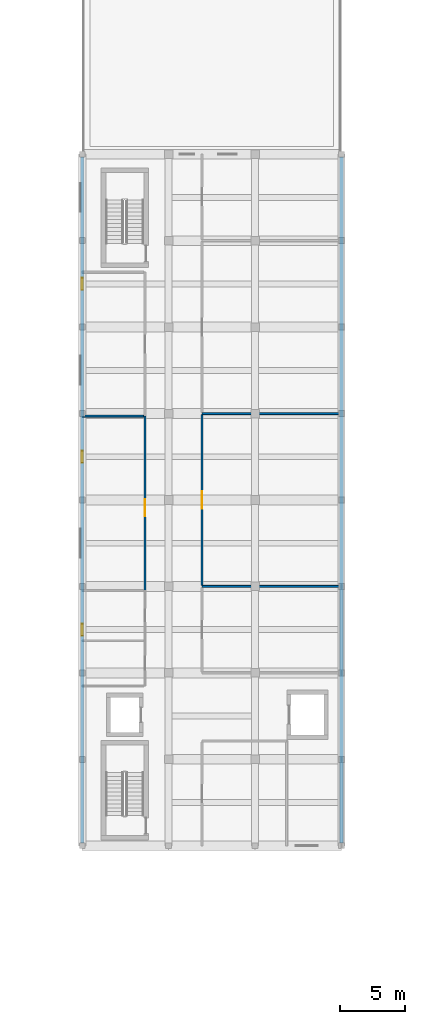
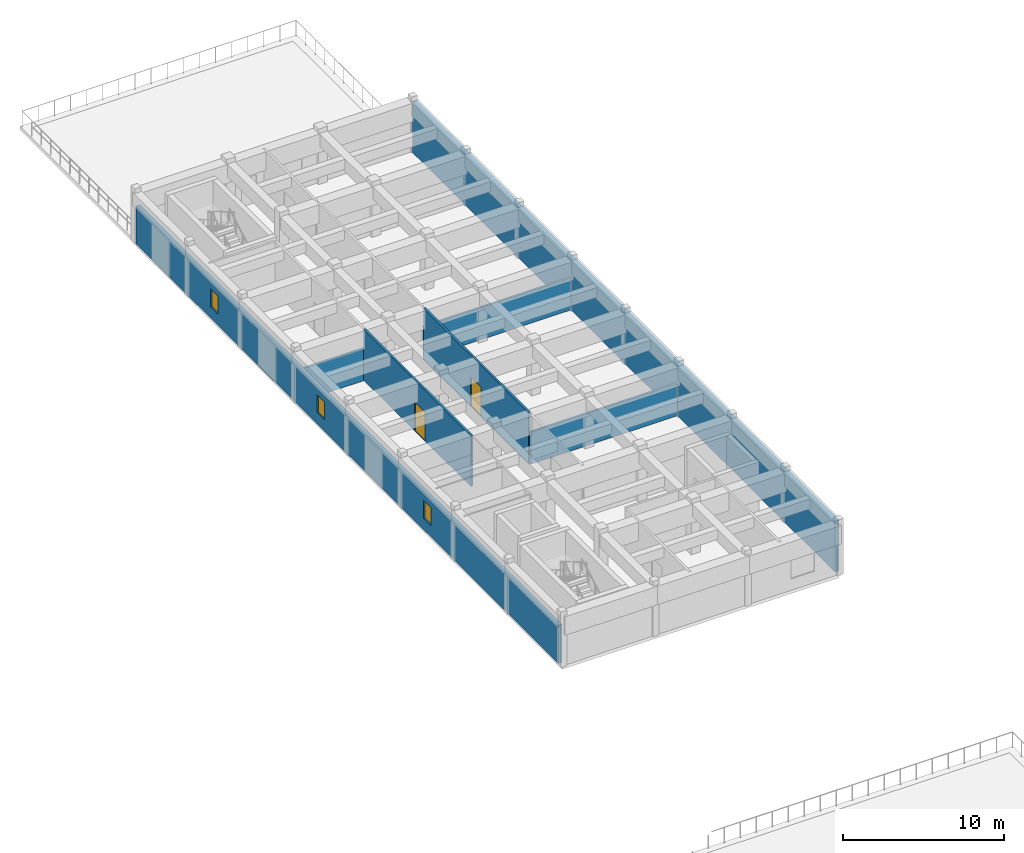
# One storey, part 115 of 130: 7 walls, 3 windows, 2 doors, 5 openings.
"""IFC4 building model written with IfcOpenShell, lengths in metres."""

from ifc_helpers import new_model, si_unit, direction, frame, frame_2d, origin, place, context, subcontext, project, spatial, rectangle, extrude, material, layer, layer_set, type_object, element, fill, save


model = new_model("IFC4")

# Units and contexts
model_context = context("Model", 3, precision=1e-05, world=origin(), true_north=direction((0.0, 1.0)))
body_context = subcontext(model_context, "Body", "Model", "MODEL_VIEW")
ifc_project = project(units=[si_unit("LENGTHUNIT", "METRE"), si_unit("AREAUNIT", "SQUARE_METRE"), si_unit("VOLUMEUNIT", "CUBIC_METRE"), si_unit("PLANEANGLEUNIT", "RADIAN"), si_unit("MASSUNIT", "GRAM", prefix="KILO")], contexts=[model_context])

# Site, building, storey
site_placement = place(None, origin())
site = spatial("IfcSite", under=ifc_project, at=site_placement, CompositionType="ELEMENT")
building_placement = place(site_placement, origin())
building = spatial("IfcBuilding", under=site, at=building_placement, Name="Karori Crest Natural Sciences Institute", CompositionType="ELEMENT")
storey_placement = place(building_placement, frame((0.0, 0.0, 17.5)))
storey = spatial("IfcBuildingStorey", under=building, at=storey_placement, Name="L04", CompositionType="ELEMENT", Elevation=17.5)

# Wall
ifc_material_1 = material(Name="Clean-room insulated fire partition")
ifc_layer_1 = layer(ifc_material_1, 0.14990234375, Name="Clean-room insulated fire partition")
ifc_layer_set_1 = layer_set([ifc_layer_1], Name="Clean-room insulated fire partition")
wall_type_1 = type_object("IfcWallType", Name="IWT-06", PredefinedType="PARTITIONING", material=ifc_layer_set_1)
wall_1_placement = place(storey_placement, frame((7.39990234375, 127.800048828125, 0.0), z_axis=(0.0, 0.0, 1.0), x_axis=(1.0, 0.0, 0.0)))
element("IfcWall", 1, at=wall_1_placement, inside=storey, type_object=wall_type_1, Name="Partition wall IW-1007", PredefinedType="PARTITIONING", context=body_context, shape_type="SweptSolid", body=[
    extrude(rectangle(XDim=4.697998046875, YDim=0.14990234375, at=frame_2d((2.34912109375, 0.0))), origin(), (0.0, 0.0, 1.0), 2.43505859375),
])

# Wall, opening, door
wall_2_placement = place(storey_placement, frame((12.199951171875, 114.501953125, 0.0), z_axis=(0.0, 0.0, 1.0), x_axis=(0.0, 1.0, 0.0)))
wall_2 = element("IfcWall", 2, at=wall_2_placement, inside=storey, type_object=wall_type_1, Name="Partition wall IW-1008", PredefinedType="PARTITIONING", context=body_context, shape_type="SweptSolid", body=[
    extrude(rectangle(XDim=13.298095703125, YDim=0.14990234375, at=frame_2d((6.64892578125, 0.0))), origin(), (0.0, 0.0, 1.0), 3.85009765625),
])
opening_1_placement = place(wall_2_placement, frame((5.64892578125, 0.0, 0.0)))
opening_1 = element("IfcOpeningElement", 3, at=opening_1_placement, cuts=wall_2, Name="Opening ID-0274", PredefinedType="OPENING", context=body_context, shape_type="SweptSolid", body=[
    extrude(rectangle(XDim=1.300048828125, YDim=2.199951171875, at=frame_2d((0.64990234375, 1.10009765625))), frame((0.0, 0.0849609375, 0.0), z_axis=(0.0, -1.0, 0.0), x_axis=(1.0, 0.0, 0.0)), (0.0, 0.0, 1.0), 0.169921875),
])
ifc_material_2 = material(Name="Stainless steel 316 and fire-rated timber", Category="steel")
door_type = type_object("IfcDoorType", Name="IDT-04", OperationType="NOTDEFINED", PredefinedType="DOOR", material=ifc_material_2)
door_1_placement = place(opening_1_placement, origin())
door_1 = element("IfcDoor", 4, at=door_1_placement, inside=storey, type_object=door_type, Name="Clean-Room Gowning Airlock Suite door ID-0274", OperationType="SINGLE_SWING_RIGHT", OverallHeight=2.199951171875, OverallWidth=1.300048828125, PredefinedType="DOOR", context=body_context, shape_type="SweptSolid", body=[
    extrude(rectangle(XDim=1.300048828125, YDim=2.199951171875, at=frame_2d((0.64990234375, 1.10009765625))), frame((0.0, 0.02490234375, 0.0), z_axis=(0.0, -1.0, 0.0), x_axis=(1.0, 0.0, 0.0)), (0.0, 0.0, 1.0), 0.050048828125),
])
fill(opening_1, door_1)

# Walls
for number, where, z_axis, x_axis, name in (
    (5, (16.550048828125, 114.800048828125, 0.0), (0.0, 0.0, 1.0), (1.0, 0.0, 0.0), "Partition wall IW-1015"),
    (6, (16.550048828125, 128.0, 0.0), (0.0, 0.0, 1.0), (1.0, 0.0, 0.0), "Partition wall IW-1017"),
):
    element("IfcWall", number, at=place(storey_placement, frame(where, z_axis=z_axis, x_axis=x_axis)), inside=storey, type_object=wall_type_1, Name=name, PredefinedType="PARTITIONING", context=body_context, shape_type="SweptSolid", body=[
        extrude(rectangle(XDim=10.537841796875, YDim=0.14990234375, at=frame_2d((5.26904296875, 0.0))), origin(), (0.0, 0.0, 1.0), 2.43505859375),
    ])

# Wall, opening, door
wall_3_placement = place(storey_placement, frame((16.550048828125, 114.876953125, 0.0), z_axis=(0.0, 0.0, 1.0), x_axis=(0.0, 1.0, 0.0)))
wall_3 = element("IfcWall", 7, at=wall_3_placement, inside=storey, type_object=wall_type_1, Name="Partition wall IW-1018", PredefinedType="PARTITIONING", context=body_context, shape_type="SweptSolid", body=[
    extrude(rectangle(XDim=13.046142578125, YDim=0.14990234375, at=frame_2d((6.52294921875, 0.0))), origin(), (0.0, 0.0, 1.0), 3.85009765625),
])
opening_2_placement = place(wall_3_placement, frame((5.873046875, 0.0, 0.0)))
opening_2 = element("IfcOpeningElement", 8, at=opening_2_placement, cuts=wall_3, Name="Opening ID-0278", PredefinedType="OPENING", context=body_context, shape_type="SweptSolid", body=[
    extrude(rectangle(XDim=1.300048828125, YDim=2.199951171875, at=frame_2d((0.64990234375, 1.10009765625))), frame((0.0, 0.0849609375, 0.0), z_axis=(0.0, -1.0, 0.0), x_axis=(1.0, 0.0, 0.0)), (0.0, 0.0, 1.0), 0.169921875),
])
door_2_placement = place(opening_2_placement, origin())
door_2 = element("IfcDoor", 9, at=door_2_placement, inside=storey, type_object=door_type, Name="Laser Interferometry Metrology Suite door ID-0278", OperationType="SINGLE_SWING_RIGHT", OverallHeight=2.199951171875, OverallWidth=1.300048828125, PredefinedType="DOOR", context=body_context, shape_type="SweptSolid", body=[
    extrude(rectangle(XDim=1.300048828125, YDim=2.199951171875, at=frame_2d((0.64990234375, 1.10009765625))), frame((0.0, 0.02490234375, 0.0), z_axis=(0.0, -1.0, 0.0), x_axis=(1.0, 0.0, 0.0)), (0.0, 0.0, 1.0), 0.050048828125),
])
fill(opening_2, door_2)

# Wall
ifc_material_3 = material(Name="Precast concrete 40 MPa", Category="concrete")
ifc_layer_2 = layer(ifc_material_3, 0.300048828125, Name="Precast concrete 40 MPa")
ifc_layer_set_2 = layer_set([ifc_layer_2], Name="Precast concrete 40 MPa")
wall_type_2 = type_object("IfcWallType", Name="WT-01", PredefinedType="SOLIDWALL", material=ifc_layer_set_2)
wall_4_placement = place(storey_placement, frame((27.199951171875, 147.576904296875, 0.0), z_axis=(0.0, 0.0, 1.0), x_axis=(0.0, -1.0, 0.0)))
element("IfcWall", 10, at=wall_4_placement, inside=storey, type_object=wall_type_2, Name="Exterior wall EW-0173", PredefinedType="SOLIDWALL", context=body_context, shape_type="SweptSolid", body=[
    extrude(rectangle(XDim=52.35400390625, YDim=0.300048828125, at=frame_2d((26.177001953125, 0.0))), origin(), (0.0, 0.0, 1.0), 3.840087890625),
])

# Wall, openings, windows
ifc_layer_3 = layer(ifc_material_3, 0.260009765625, Name="Precast concrete 40 MPa")
ifc_layer_set_3 = layer_set([ifc_layer_3], Name="Precast concrete 40 MPa")
wall_type_3 = type_object("IfcWallType", Name="WT-03", PredefinedType="SOLIDWALL", material=ifc_layer_set_3)
wall_5_placement = place(storey_placement, frame((7.39990234375, 95.222900390625, 0.0), z_axis=(0.0, 0.0, 1.0), x_axis=(0.0, 1.0, 0.0)))
wall_5 = element("IfcWall", 11, at=wall_5_placement, inside=storey, type_object=wall_type_3, Name="Exterior wall EW-0174", PredefinedType="SOLIDWALL", context=body_context, shape_type="SweptSolid", body=[
    extrude(rectangle(XDim=52.35400390625, YDim=0.260009765625, at=frame_2d((26.177001953125, 0.0))), origin(), (0.0, 0.0, 1.0), 2.885009765625),
])
opening_3_placement = place(wall_5_placement, frame((15.826904296875, 0.0, 0.85009765625)))
opening_3 = element("IfcOpeningElement", 12, at=opening_3_placement, cuts=wall_5, Name="Opening WN-0116", PredefinedType="OPENING", context=body_context, shape_type="SweptSolid", body=[
    extrude(rectangle(XDim=0.89990234375, YDim=1.35009765625, at=frame_2d((0.449951171875, 0.675048828125))), frame((0.0, 0.14013671875, 0.0), z_axis=(0.0, -1.0, 0.0), x_axis=(1.0, 0.0, 0.0)), (0.0, 0.0, 1.0), 0.280029296875),
])
opening_4_placement = place(wall_5_placement, frame((29.027099609375, 0.0, 0.85009765625)))
opening_4 = element("IfcOpeningElement", 13, at=opening_4_placement, cuts=wall_5, Name="Opening WN-0117", PredefinedType="OPENING", context=body_context, shape_type="SweptSolid", body=[
    extrude(rectangle(XDim=0.89990234375, YDim=1.35009765625, at=frame_2d((0.449951171875, 0.675048828125))), frame((0.0, 0.14013671875, 0.0), z_axis=(0.0, -1.0, 0.0), x_axis=(1.0, 0.0, 0.0)), (0.0, 0.0, 1.0), 0.280029296875),
])
opening_5_placement = place(wall_5_placement, frame((42.22705078125, 0.0, 0.85009765625)))
opening_5 = element("IfcOpeningElement", 14, at=opening_5_placement, cuts=wall_5, Name="Opening WN-0118", PredefinedType="OPENING", context=body_context, shape_type="SweptSolid", body=[
    extrude(rectangle(XDim=0.89990234375, YDim=1.35009765625, at=frame_2d((0.449951171875, 0.675048828125))), frame((0.0, 0.14013671875, 0.0), z_axis=(0.0, -1.0, 0.0), x_axis=(1.0, 0.0, 0.0)), (0.0, 0.0, 1.0), 0.280029296875),
])
ifc_material_4 = material(Name="Double low-E laminated glass", Category="glass")
window_type = type_object("IfcWindowType", Name="WNT-17", PartitioningType="SINGLE_PANEL", PredefinedType="WINDOW", material=ifc_material_4)
window_1_placement = place(opening_3_placement, origin())
window_1 = element("IfcWindow", 15, at=window_1_placement, inside=storey, type_object=window_type, Name="Window WN-0116", OverallHeight=1.35009765625, OverallWidth=0.89990234375, PartitioningType="SINGLE_PANEL", PredefinedType="WINDOW", context=body_context, shape_type="SweptSolid", body=[
    extrude(rectangle(XDim=0.89990234375, YDim=1.35009765625, at=frame_2d((0.449951171875, 0.675048828125))), frame((0.0, 0.030029296875, 0.0), z_axis=(0.0, -1.0, 0.0), x_axis=(1.0, 0.0, 0.0)), (0.0, 0.0, 1.0), 0.06005859375),
])
fill(opening_3, window_1)
window_2_placement = place(opening_4_placement, origin())
window_2 = element("IfcWindow", 16, at=window_2_placement, inside=storey, type_object=window_type, Name="Window WN-0117", OverallHeight=1.35009765625, OverallWidth=0.89990234375, PartitioningType="SINGLE_PANEL", PredefinedType="WINDOW", context=body_context, shape_type="SweptSolid", body=[
    extrude(rectangle(XDim=0.89990234375, YDim=1.35009765625, at=frame_2d((0.449951171875, 0.675048828125))), frame((0.0, 0.030029296875, 0.0), z_axis=(0.0, -1.0, 0.0), x_axis=(1.0, 0.0, 0.0)), (0.0, 0.0, 1.0), 0.06005859375),
])
fill(opening_4, window_2)
window_3_placement = place(opening_5_placement, origin())
window_3 = element("IfcWindow", 17, at=window_3_placement, inside=storey, type_object=window_type, Name="Window WN-0118", OverallHeight=1.35009765625, OverallWidth=0.89990234375, PartitioningType="SINGLE_PANEL", PredefinedType="WINDOW", context=body_context, shape_type="SweptSolid", body=[
    extrude(rectangle(XDim=0.89990234375, YDim=1.35009765625, at=frame_2d((0.449951171875, 0.675048828125))), frame((0.0, 0.030029296875, 0.0), z_axis=(0.0, -1.0, 0.0), x_axis=(1.0, 0.0, 0.0)), (0.0, 0.0, 1.0), 0.06005859375),
])
fill(opening_5, window_3)

save(model, "model.ifc")
